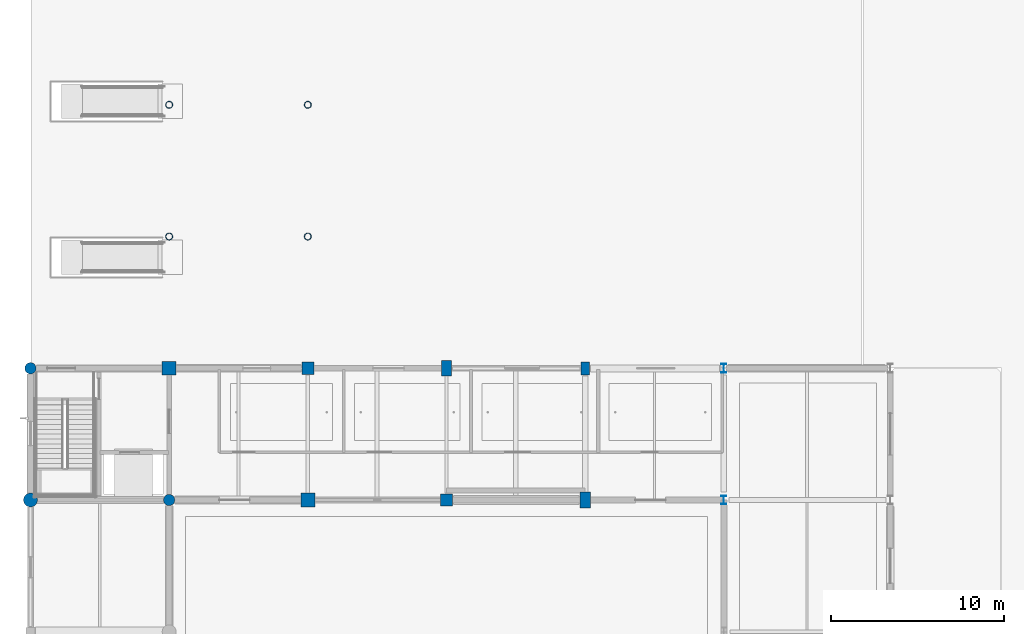
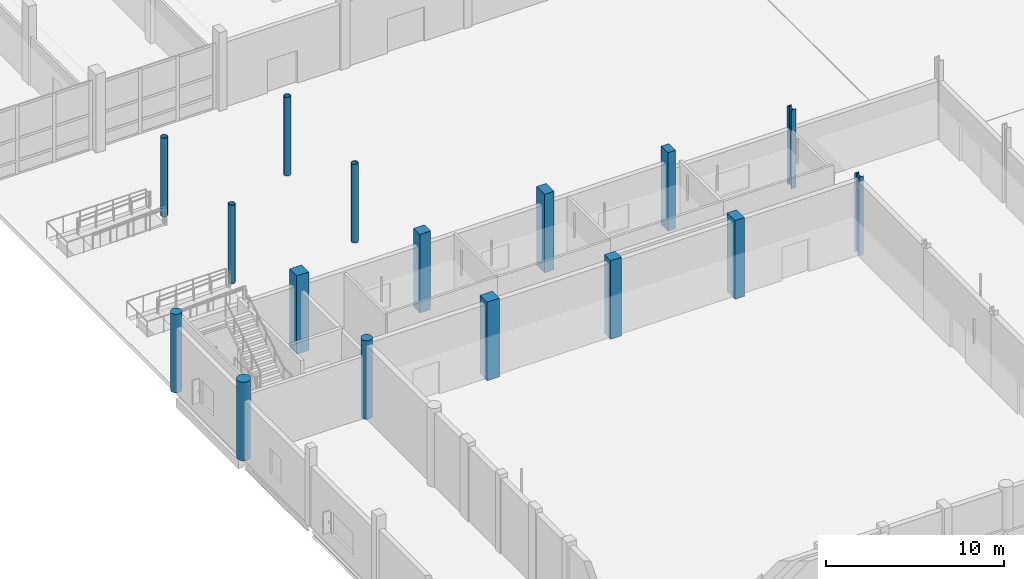
# One storey, part 3 of 126: 16 columns.
"""IFC4 building model written with IfcOpenShell, lengths in metres."""

from ifc_helpers import new_model, si_unit, direction, frame, origin, origin_2d, place, context, subcontext, project, spatial, rectangle, circle, hollow_circle, i_section, extrude, material, material_profile, profile_set, type_object, element, save


model = new_model("IFC4")

# Units and contexts
model_context = context("Model", 3, precision=1e-05, world=origin(), true_north=direction((0.0, 1.0)))
body_context = subcontext(model_context, "Body", "Model", "MODEL_VIEW")
ifc_project = project(units=[si_unit("LENGTHUNIT", "METRE"), si_unit("AREAUNIT", "SQUARE_METRE"), si_unit("VOLUMEUNIT", "CUBIC_METRE"), si_unit("PLANEANGLEUNIT", "RADIAN"), si_unit("MASSUNIT", "GRAM", prefix="KILO")], contexts=[model_context])

# Site, building, storey
site_placement = place(None, origin())
site = spatial("IfcSite", under=ifc_project, at=site_placement, CompositionType="ELEMENT")
building_placement = place(site_placement, origin())
building = spatial("IfcBuilding", under=site, at=building_placement, Name="Khelvaren Railside Concert Hall", CompositionType="ELEMENT")
storey_placement = place(building_placement, origin())
storey = spatial("IfcBuildingStorey", under=building, at=storey_placement, Name="L00", CompositionType="ELEMENT", Elevation=0.0)

# Columns
ifc_material_1 = material(Name="Steel S355", Category="steel")
ifc_material_profile_1 = material_profile(ifc_material_1, i_section(OverallWidth=0.300048828125, OverallDepth=0.5, WebThickness=0.014404296875, FlangeThickness=0.028076171875, FilletRadius=0.027099609375, at=origin_2d()), Name="HEB 500")
ifc_profile_set_1 = profile_set([ifc_material_profile_1], Name="Steel S355")
column_type_1 = type_object("IfcColumnType", Name="COL15", PredefinedType="COLUMN", material=ifc_profile_set_1)
column_1_placement = place(storey_placement, frame((40.0, 45.60009765625, 0.0), z_axis=(0.0, 0.0, 1.0), x_axis=(1.0, 0.0, 0.0)))
element("IfcColumn", 1, at=column_1_placement, inside=storey, type_object=column_type_1, Name="V1 L00 Column (40.0,45.6)", PredefinedType="COLUMN", context=body_context, shape_type="SweptSolid", body=[
    extrude(i_section(OverallWidth=0.300048828125, OverallDepth=0.5, WebThickness=0.014404296875, FlangeThickness=0.028076171875, FilletRadius=0.027099609375, at=origin_2d()), origin(), (0.0, 0.0, 1.0), 5.39990234375),
])
ifc_material_2 = material(Name="Concrete C45/55", Category="concrete")
ifc_material_profile_2 = material_profile(ifc_material_2, rectangle(XDim=0.699951171875, YDim=0.699951171875, at=origin_2d()), Name="RC 700x700")
ifc_profile_set_2 = profile_set([ifc_material_profile_2], Name="Concrete C45/55")
column_type_2 = type_object("IfcColumnType", Name="COL16", PredefinedType="COLUMN", material=ifc_profile_set_2)
column_2_placement = place(storey_placement, frame((16.0, 45.60009765625, 0.0), z_axis=(0.0, 0.0, 1.0), x_axis=(1.0, 0.0, 0.0)))
element("IfcColumn", 2, at=column_2_placement, inside=storey, type_object=column_type_2, Name="V1 L00 Column (16.0,45.6)", PredefinedType="COLUMN", context=body_context, shape_type="SweptSolid", body=[
    extrude(rectangle(XDim=0.699951171875, YDim=0.699951171875, at=origin_2d()), origin(), (0.0, 0.0, 1.0), 5.39990234375),
])
ifc_material_profile_3 = material_profile(ifc_material_2, rectangle(XDim=0.800048828125, YDim=0.800048828125, at=origin_2d()), Name="RC 800x800")
ifc_profile_set_3 = profile_set([ifc_material_profile_3], Name="Concrete C45/55")
column_type_3 = type_object("IfcColumnType", Name="COL20", PredefinedType="COLUMN", material=ifc_profile_set_3)
column_3_placement = place(storey_placement, frame((16.0, 38.0, 0.0), z_axis=(0.0, 0.0, 1.0), x_axis=(1.0, 0.0, 0.0)))
element("IfcColumn", 3, at=column_3_placement, inside=storey, type_object=column_type_3, Name="V1 L00 Column (16.0,38.0)", PredefinedType="COLUMN", context=body_context, shape_type="SweptSolid", body=[
    extrude(rectangle(XDim=0.800048828125, YDim=0.800048828125, at=origin_2d()), origin(), (0.0, 0.0, 1.0), 5.39990234375),
])
ifc_material_profile_4 = material_profile(ifc_material_2, circle(Radius=0.39990234375, at=origin_2d()), Name="RC D800")
ifc_profile_set_4 = profile_set([ifc_material_profile_4], Name="Concrete C45/55")
column_type_4 = type_object("IfcColumnType", Name="COL22", PredefinedType="COLUMN", material=ifc_profile_set_4)
column_4_placement = place(storey_placement, frame((0.0, 38.0, 0.0), z_axis=(0.0, 0.0, 1.0), x_axis=(1.0, 0.0, 0.0)))
element("IfcColumn", 4, at=column_4_placement, inside=storey, type_object=column_type_4, Name="V1 L00 Column (0.0,38.0)", PredefinedType="COLUMN", context=body_context, shape_type="SweptSolid", body=[
    extrude(circle(Radius=0.39990234375, at=origin_2d()), origin(), (0.0, 0.0, 1.0), 5.39990234375),
])
ifc_material_profile_5 = material_profile(ifc_material_1, i_section(OverallWidth=0.300048828125, OverallDepth=0.5, WebThickness=0.014404296875, FlangeThickness=0.028076171875, FilletRadius=0.027099609375, at=origin_2d()), Name="HEB 500")
ifc_profile_set_5 = profile_set([ifc_material_profile_5], Name="Steel S355")
column_type_5 = type_object("IfcColumnType", Name="COL25", PredefinedType="COLUMN", material=ifc_profile_set_5)
column_5_placement = place(storey_placement, frame((40.0, 38.0, 0.0), z_axis=(0.0, 0.0, 1.0), x_axis=(1.0, 0.0, 0.0)))
element("IfcColumn", 5, at=column_5_placement, inside=storey, type_object=column_type_5, Name="V1 L00 Column (40.0,38.0)", PredefinedType="COLUMN", context=body_context, shape_type="SweptSolid", body=[
    extrude(i_section(OverallWidth=0.300048828125, OverallDepth=0.5, WebThickness=0.014404296875, FlangeThickness=0.028076171875, FilletRadius=0.027099609375, at=origin_2d()), origin(), (0.0, 0.0, 1.0), 5.39990234375),
])
ifc_material_profile_6 = material_profile(ifc_material_1, hollow_circle(Radius=0.203125, WallThickness=0.02001953125, at=origin_2d()), Name="CHS 406.4x20")
ifc_profile_set_6 = profile_set([ifc_material_profile_6], Name="Steel S355")
column_type_6 = type_object("IfcColumnType", Name="COL27", PredefinedType="COLUMN", material=ifc_profile_set_6)
for number, where, z_axis, x_axis, name in (
    (6, (8.0, 53.199951171875, 0.0), (0.0, 0.0, 1.0), (1.0, 0.0, 0.0), "LB3 L00 Bridge Pier (8,53.2)"),
    (7, (8.0, 60.800048828125, 0.0), (0.0, 0.0, 1.0), (1.0, 0.0, 0.0), "LB3 L00 Bridge Pier (8,60.8)"),
    (8, (16.0, 53.199951171875, 0.0), (0.0, 0.0, 1.0), (1.0, 0.0, 0.0), "LB3 L00 Bridge Pier (16,53.2)"),
    (9, (16.0, 60.800048828125, 0.0), (0.0, 0.0, 1.0), (1.0, 0.0, 0.0), "LB3 L00 Bridge Pier (16,60.8)"),
):
    element("IfcColumn", number, at=place(storey_placement, frame(where, z_axis=z_axis, x_axis=x_axis)), inside=storey, type_object=column_type_6, Name=name, PredefinedType="COLUMN", context=body_context, shape_type="SweptSolid", body=[
        extrude(hollow_circle(Radius=0.203125, WallThickness=0.02001953125, at=origin_2d()), origin(), (0.0, 0.0, 1.0), 5.39990234375),
    ])
ifc_material_profile_7 = material_profile(ifc_material_2, rectangle(XDim=0.60009765625, YDim=0.89990234375, at=origin_2d()), Name="RC 600x900")
ifc_profile_set_7 = profile_set([ifc_material_profile_7], Name="Concrete C45/55")
column_type_7 = type_object("IfcColumnType", Name="COL33", PredefinedType="COLUMN", material=ifc_profile_set_7)
column_6_placement = place(storey_placement, frame((32.0, 38.0, 0.0), z_axis=(0.0, 0.0, 1.0), x_axis=(1.0, 0.0, 0.0)))
element("IfcColumn", 10, at=column_6_placement, inside=storey, type_object=column_type_7, Name="V1 L00 Column (32.0,38.0)", PredefinedType="COLUMN", context=body_context, shape_type="SweptSolid", body=[
    extrude(rectangle(XDim=0.60009765625, YDim=0.89990234375, at=origin_2d()), origin(), (0.0, 0.0, 1.0), 5.39990234375),
])
ifc_material_profile_8 = material_profile(ifc_material_2, rectangle(XDim=0.800048828125, YDim=0.800048828125, at=origin_2d()), Name="RC 800x800")
ifc_profile_set_8 = profile_set([ifc_material_profile_8], Name="Concrete C45/55")
column_type_8 = type_object("IfcColumnType", Name="COL38", PredefinedType="COLUMN", material=ifc_profile_set_8)
column_7_placement = place(storey_placement, frame((8.0, 45.60009765625, 0.0), z_axis=(0.0, 0.0, 1.0), x_axis=(1.0, 0.0, 0.0)))
element("IfcColumn", 11, at=column_7_placement, inside=storey, type_object=column_type_8, Name="V1 L00 Column (8.0,45.6)", PredefinedType="COLUMN", context=body_context, shape_type="SweptSolid", body=[
    extrude(rectangle(XDim=0.800048828125, YDim=0.800048828125, at=origin_2d()), origin(), (0.0, 0.0, 1.0), 5.39990234375),
])
ifc_material_profile_9 = material_profile(ifc_material_2, circle(Radius=0.324951171875, at=origin_2d()), Name="RC D650")
ifc_profile_set_9 = profile_set([ifc_material_profile_9], Name="Concrete C45/55")
column_type_9 = type_object("IfcColumnType", Name="COL53", PredefinedType="COLUMN", material=ifc_profile_set_9)
column_8_placement = place(storey_placement, frame((0.0, 45.60009765625, 0.0), z_axis=(0.0, 0.0, 1.0), x_axis=(1.0, 0.0, 0.0)))
element("IfcColumn", 12, at=column_8_placement, inside=storey, type_object=column_type_9, Name="V1 L00 Column (0.0,45.6)", PredefinedType="COLUMN", context=body_context, shape_type="SweptSolid", body=[
    extrude(circle(Radius=0.324951171875, at=origin_2d()), origin(), (0.0, 0.0, 1.0), 5.39990234375),
])
ifc_material_profile_10 = material_profile(ifc_material_2, rectangle(XDim=0.699951171875, YDim=0.699951171875, at=origin_2d()), Name="RC 700x700")
ifc_profile_set_10 = profile_set([ifc_material_profile_10], Name="Concrete C45/55")
column_type_10 = type_object("IfcColumnType", Name="COL74", PredefinedType="COLUMN", material=ifc_profile_set_10)
column_9_placement = place(storey_placement, frame((24.0, 38.0, 0.0), z_axis=(0.0, 0.0, 1.0), x_axis=(1.0, 0.0, 0.0)))
element("IfcColumn", 13, at=column_9_placement, inside=storey, type_object=column_type_10, Name="V1 L00 Column (24.0,38.0)", PredefinedType="COLUMN", context=body_context, shape_type="SweptSolid", body=[
    extrude(rectangle(XDim=0.699951171875, YDim=0.699951171875, at=origin_2d()), origin(), (0.0, 0.0, 1.0), 5.39990234375),
])
ifc_material_profile_11 = material_profile(ifc_material_2, circle(Radius=0.324951171875, at=origin_2d()), Name="RC D650")
ifc_profile_set_11 = profile_set([ifc_material_profile_11], Name="Concrete C45/55")
column_type_11 = type_object("IfcColumnType", Name="COL94", PredefinedType="COLUMN", material=ifc_profile_set_11)
column_10_placement = place(storey_placement, frame((8.0, 38.0, 0.0), z_axis=(0.0, 0.0, 1.0), x_axis=(1.0, 0.0, 0.0)))
element("IfcColumn", 14, at=column_10_placement, inside=storey, type_object=column_type_11, Name="V1 L00 Column (8.0,38.0)", PredefinedType="COLUMN", context=body_context, shape_type="SweptSolid", body=[
    extrude(circle(Radius=0.324951171875, at=origin_2d()), origin(), (0.0, 0.0, 1.0), 5.39990234375),
])
ifc_material_profile_12 = material_profile(ifc_material_2, rectangle(XDim=0.60009765625, YDim=0.89990234375, at=origin_2d()), Name="RC 600x900")
ifc_profile_set_12 = profile_set([ifc_material_profile_12], Name="Concrete C45/55")
column_type_12 = type_object("IfcColumnType", Name="COL95", PredefinedType="COLUMN", material=ifc_profile_set_12)
column_11_placement = place(storey_placement, frame((24.0, 45.60009765625, 0.0), z_axis=(0.0, 0.0, 1.0), x_axis=(1.0, 0.0, 0.0)))
element("IfcColumn", 15, at=column_11_placement, inside=storey, type_object=column_type_12, Name="V1 L00 Column (24.0,45.6)", PredefinedType="COLUMN", context=body_context, shape_type="SweptSolid", body=[
    extrude(rectangle(XDim=0.60009765625, YDim=0.89990234375, at=origin_2d()), origin(), (0.0, 0.0, 1.0), 5.39990234375),
])
ifc_material_profile_13 = material_profile(ifc_material_2, rectangle(XDim=0.5, YDim=0.75, at=origin_2d()), Name="RC 500x750")
ifc_profile_set_13 = profile_set([ifc_material_profile_13], Name="Concrete C45/55")
column_type_13 = type_object("IfcColumnType", Name="COL97", PredefinedType="COLUMN", material=ifc_profile_set_13)
column_12_placement = place(storey_placement, frame((32.0, 45.60009765625, 0.0), z_axis=(0.0, 0.0, 1.0), x_axis=(1.0, 0.0, 0.0)))
element("IfcColumn", 16, at=column_12_placement, inside=storey, type_object=column_type_13, Name="V1 L00 Column (32.0,45.6)", PredefinedType="COLUMN", context=body_context, shape_type="SweptSolid", body=[
    extrude(rectangle(XDim=0.5, YDim=0.75, at=origin_2d()), origin(), (0.0, 0.0, 1.0), 5.39990234375),
])

save(model, "model.ifc")
